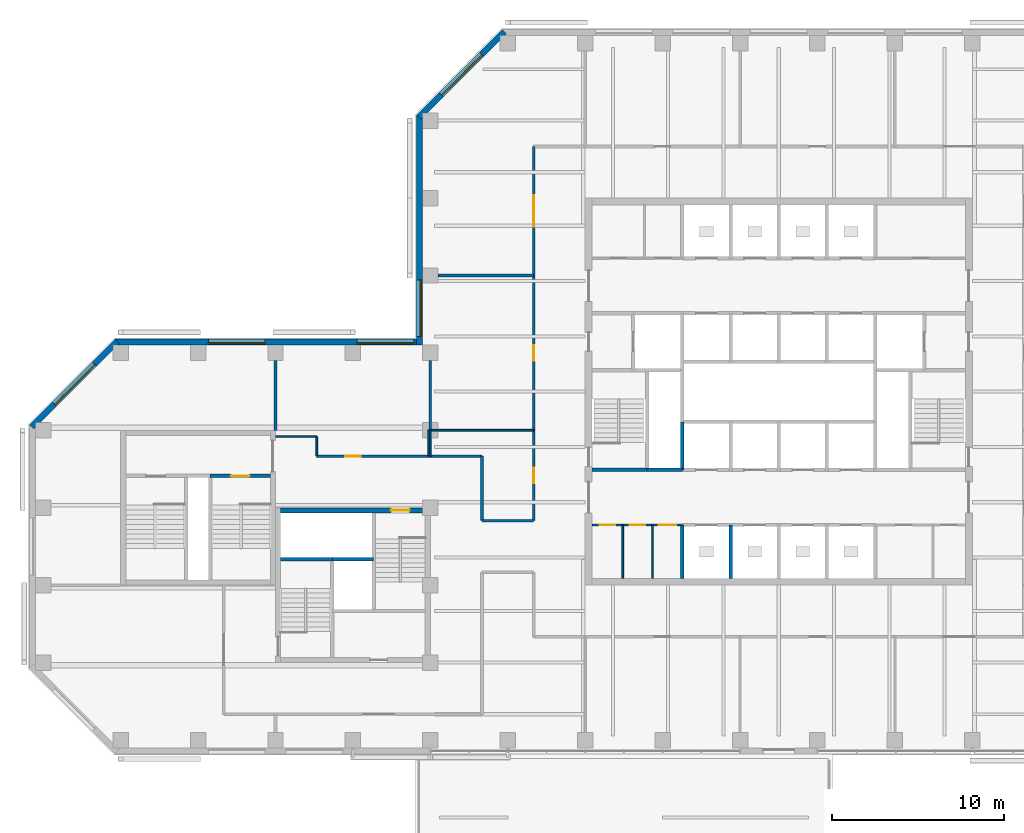
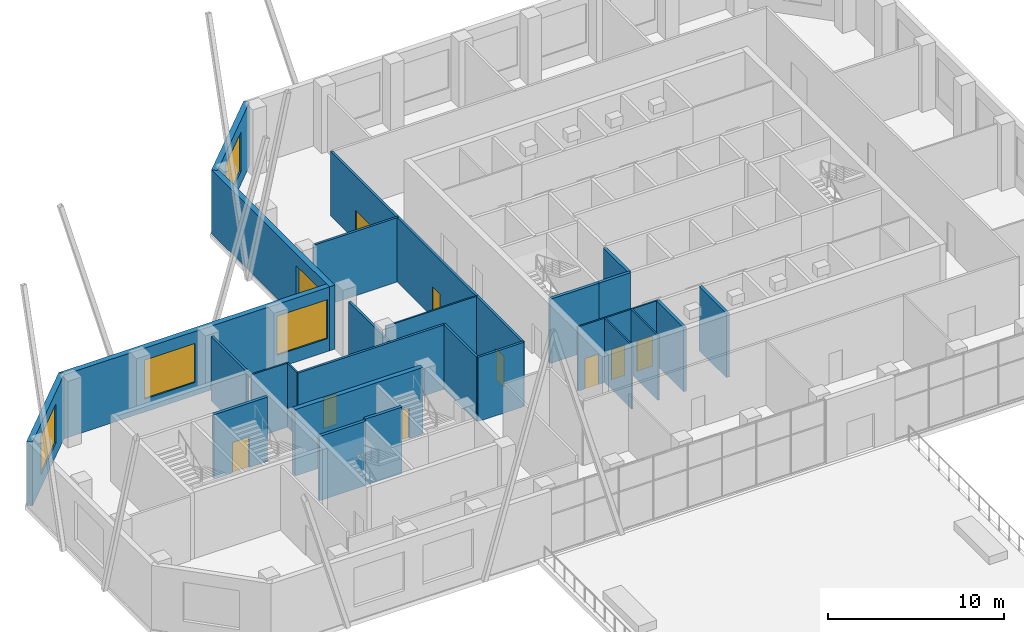
# One storey, part 8 of 14: 28 walls, 9 doors, 5 windows, 14 openings.
"""IFC4 building model written with IfcOpenShell, lengths in metres."""

from ifc_helpers import new_model, si_unit, direction, frame, frame_2d, origin, place, context, subcontext, project, spatial, rectangle, extrude, material, layer, layer_set, constituent, constituent_set, type_object, element, fill, save


model = new_model("IFC4")

# Units and contexts
model_context = context("Model", 3, precision=1e-05, world=origin(), true_north=direction((0.0, 1.0)))
body_context = subcontext(model_context, "Body", "Model", "MODEL_VIEW")
ifc_project = project(units=[si_unit("LENGTHUNIT", "METRE"), si_unit("AREAUNIT", "SQUARE_METRE"), si_unit("VOLUMEUNIT", "CUBIC_METRE"), si_unit("PLANEANGLEUNIT", "RADIAN"), si_unit("MASSUNIT", "GRAM", prefix="KILO")], contexts=[model_context])

# Site, building, storey
site_placement = place(None, origin())
site = spatial("IfcSite", under=ifc_project, at=site_placement, CompositionType="ELEMENT")
building_placement = place(site_placement, origin())
building = spatial("IfcBuilding", under=site, at=building_placement, Name="Quoin Convention Tower", CompositionType="ELEMENT")
storey_placement = place(building_placement, frame((0.0, 0.0, 143.10009765625)))
storey = spatial("IfcBuildingStorey", under=building, at=storey_placement, Name="L37", CompositionType="ELEMENT", Elevation=143.10009765625)

# Wall, opening, window
ifc_material_1 = material(Name="Brick masonry", Category="masonry")
ifc_layer_1 = layer(ifc_material_1, 0.35009765625)
ifc_layer_set_1 = layer_set([ifc_layer_1], Name="Brick masonry")
wall_type_1 = type_object("IfcWallType", Name="Brick facade wall", PredefinedType="STANDARD", material=ifc_layer_set_1)
wall_1_placement = place(storey_placement, frame((40.29248046875, 81.67626953125, 0.0), z_axis=(0.0, 0.0, 1.0), x_axis=(-0.707106781187, -0.707106781187, 0.0)))
wall_1 = element("IfcWall", 1, at=wall_1_placement, inside=storey, type_object=wall_type_1, Name="fw-L37-40500_81000", PredefinedType="STANDARD", context=body_context, shape_type="SweptSolid", body=[
    extrude(rectangle(XDim=7.02685546875, YDim=0.35009765625, at=frame_2d((3.513427734375, 0.0))), origin(), (0.0, 0.0, 1.0), 4.4248046875),
])
opening_1_placement = place(wall_1_placement, frame((1.86328125, 0.0, 0.89990234375)))
opening_1 = element("IfcOpeningElement", 2, at=opening_1_placement, cuts=wall_1, Name="Opening W-03", PredefinedType="OPENING", context=body_context, shape_type="SweptSolid", body=[
    extrude(rectangle(XDim=3.300048828125, YDim=2.699951171875, at=frame_2d((1.64990234375, 1.35009765625))), frame((0.0, 0.18505859375, 0.0), z_axis=(0.0, -1.0, 0.0), x_axis=(1.0, 0.0, 0.0)), (0.0, 0.0, 1.0), 0.3701171875),
])
ifc_material_2 = material(Name="Aluminium", Category="aluminium")
ifc_constituent_1 = constituent(ifc_material_2, Name="Frame")
ifc_material_3 = material(Name="Insulated glass", Category="glass")
ifc_constituent_2 = constituent(ifc_material_3, Name="Glazing")
ifc_constituent_set = constituent_set(constituents=[ifc_constituent_1, ifc_constituent_2], Name="Aluminium")
window_type = type_object("IfcWindowType", Name="Sky lobby window", PartitioningType="DOUBLE_PANEL_VERTICAL", PredefinedType="WINDOW", material=ifc_constituent_set)
window_1_placement = place(opening_1_placement, origin())
window_1 = element("IfcWindow", 3, at=window_1_placement, inside=storey, type_object=window_type, Name="win-L37-37808_79192", OverallHeight=2.699951171875, OverallWidth=3.300048828125, PartitioningType="SINGLE_PANEL", PredefinedType="WINDOW", context=body_context, shape_type="SweptSolid", body=[
    extrude(rectangle(XDim=3.300048828125, YDim=2.699951171875, at=frame_2d((1.64990234375, 1.35009765625))), frame((0.0, 0.0849609375, 0.0), z_axis=(0.0, -1.0, 0.0), x_axis=(1.0, 0.0, 0.0)), (0.0, 0.0, 1.0), 0.06005859375),
])
fill(opening_1, window_1)

wall_2_placement = place(storey_placement, frame((35.375, 76.831298828125, 0.0), z_axis=(0.0, 0.0, 1.0), x_axis=(0.0, -1.0, 0.0)))
wall_2 = element("IfcWall", 4, at=wall_2_placement, inside=storey, type_object=wall_type_1, Name="fw-L37-36000_76500", PredefinedType="STANDARD", context=body_context, shape_type="SweptSolid", body=[
    extrude(rectangle(XDim=13.38134765625, YDim=0.35009765625, at=frame_2d((6.690673828125, 0.0))), origin(), (0.0, 0.0, 1.0), 4.4248046875),
])
opening_2_placement = place(wall_2_placement, frame((9.581298828125, 0.0, 0.89990234375)))
opening_2 = element("IfcOpeningElement", 5, at=opening_2_placement, cuts=wall_2, Name="Opening W-03", PredefinedType="OPENING", context=body_context, shape_type="SweptSolid", body=[
    extrude(rectangle(XDim=3.300048828125, YDim=2.699951171875, at=frame_2d((1.64990234375, 1.35009765625))), frame((0.0, 0.18505859375, 0.0), z_axis=(0.0, -1.0, 0.0), x_axis=(1.0, 0.0, 0.0)), (0.0, 0.0, 1.0), 0.3701171875),
])
window_2_placement = place(opening_2_placement, origin())
window_2 = element("IfcWindow", 6, at=window_2_placement, inside=storey, type_object=window_type, Name="win-L37-35375_65250", OverallHeight=2.699951171875, OverallWidth=3.300048828125, PartitioningType="SINGLE_PANEL", PredefinedType="WINDOW", context=body_context, shape_type="SweptSolid", body=[
    extrude(rectangle(XDim=3.300048828125, YDim=2.699951171875, at=frame_2d((1.64990234375, 1.35009765625))), frame((0.0, 0.0849609375, 0.0), z_axis=(0.0, -1.0, 0.0), x_axis=(1.0, 0.0, 0.0)), (0.0, 0.0, 1.0), 0.06005859375),
])
fill(opening_2, window_2)

# Wall, openings, windows
wall_3_placement = place(storey_placement, frame((35.550048828125, 63.625, 0.0), z_axis=(0.0, 0.0, 1.0), x_axis=(-1.0, 0.0, 0.0)))
wall_3 = element("IfcWall", 7, at=wall_3_placement, inside=storey, type_object=wall_type_1, Name="fw-L37-36000_63000", PredefinedType="STANDARD", context=body_context, shape_type="SweptSolid", body=[
    extrude(rectangle(XDim=17.88134765625, YDim=0.35009765625, at=frame_2d((8.940673828125, 0.0))), origin(), (0.0, 0.0, 1.0), 4.4248046875),
])
opening_3_placement = place(wall_3_placement, frame((0.5, 0.0, 0.89990234375)))
opening_3 = element("IfcOpeningElement", 8, at=opening_3_placement, cuts=wall_3, Name="Opening W-03", PredefinedType="OPENING", context=body_context, shape_type="SweptSolid", body=[
    extrude(rectangle(XDim=3.300048828125, YDim=2.699951171875, at=frame_2d((1.64990234375, 1.35009765625))), frame((0.0, 0.18505859375, 0.0), z_axis=(0.0, -1.0, 0.0), x_axis=(1.0, 0.0, 0.0)), (0.0, 0.0, 1.0), 0.3701171875),
])
opening_4_placement = place(wall_3_placement, frame((9.14990234375, 0.0, 0.89990234375)))
opening_4 = element("IfcOpeningElement", 9, at=opening_4_placement, cuts=wall_3, Name="Opening W-03", PredefinedType="OPENING", context=body_context, shape_type="SweptSolid", body=[
    extrude(rectangle(XDim=3.300048828125, YDim=2.699951171875, at=frame_2d((1.64990234375, 1.35009765625))), frame((0.0, 0.18505859375, 0.0), z_axis=(0.0, -1.0, 0.0), x_axis=(1.0, 0.0, 0.0)), (0.0, 0.0, 1.0), 0.3701171875),
])
window_3_placement = place(opening_3_placement, origin())
window_3 = element("IfcWindow", 10, at=window_3_placement, inside=storey, type_object=window_type, Name="win-L37-33750_63625", OverallHeight=2.699951171875, OverallWidth=3.300048828125, PartitioningType="SINGLE_PANEL", PredefinedType="WINDOW", context=body_context, shape_type="SweptSolid", body=[
    extrude(rectangle(XDim=3.300048828125, YDim=2.699951171875, at=frame_2d((1.64990234375, 1.35009765625))), frame((0.0, 0.0849609375, 0.0), z_axis=(0.0, -1.0, 0.0), x_axis=(1.0, 0.0, 0.0)), (0.0, 0.0, 1.0), 0.06005859375),
])
fill(opening_3, window_3)
window_4_placement = place(opening_4_placement, origin())
window_4 = element("IfcWindow", 11, at=window_4_placement, inside=storey, type_object=window_type, Name="win-L37-24750_63625", OverallHeight=2.699951171875, OverallWidth=3.300048828125, PartitioningType="SINGLE_PANEL", PredefinedType="WINDOW", context=body_context, shape_type="SweptSolid", body=[
    extrude(rectangle(XDim=3.300048828125, YDim=2.699951171875, at=frame_2d((1.64990234375, 1.35009765625))), frame((0.0, 0.0849609375, 0.0), z_axis=(0.0, -1.0, 0.0), x_axis=(1.0, 0.0, 0.0)), (0.0, 0.0, 1.0), 0.06005859375),
])
fill(opening_4, window_4)

# Wall, opening, window
wall_4_placement = place(storey_placement, frame((17.79248046875, 63.67626953125, 0.0), z_axis=(0.0, 0.0, 1.0), x_axis=(-0.707106781187, -0.707106781187, 0.0)))
wall_4 = element("IfcWall", 12, at=wall_4_placement, inside=storey, type_object=wall_type_1, Name="fw-L37-18000_63000", PredefinedType="STANDARD", context=body_context, shape_type="SweptSolid", body=[
    extrude(rectangle(XDim=7.02685546875, YDim=0.35009765625, at=frame_2d((3.513427734375, 0.0))), origin(), (0.0, 0.0, 1.0), 4.4248046875),
])
opening_5_placement = place(wall_4_placement, frame((1.86328125, 0.0, 0.89990234375)))
opening_5 = element("IfcOpeningElement", 13, at=opening_5_placement, cuts=wall_4, Name="Opening W-03", PredefinedType="OPENING", context=body_context, shape_type="SweptSolid", body=[
    extrude(rectangle(XDim=3.300048828125, YDim=2.699951171875, at=frame_2d((1.64990234375, 1.35009765625))), frame((0.0, 0.18505859375, 0.0), z_axis=(0.0, -1.0, 0.0), x_axis=(1.0, 0.0, 0.0)), (0.0, 0.0, 1.0), 0.3701171875),
])
window_5_placement = place(opening_5_placement, origin())
window_5 = element("IfcWindow", 14, at=window_5_placement, inside=storey, type_object=window_type, Name="win-L37-15308_61192", OverallHeight=2.699951171875, OverallWidth=3.300048828125, PartitioningType="SINGLE_PANEL", PredefinedType="WINDOW", context=body_context, shape_type="SweptSolid", body=[
    extrude(rectangle(XDim=3.300048828125, YDim=2.699951171875, at=frame_2d((1.64990234375, 1.35009765625))), frame((0.0, 0.0849609375, 0.0), z_axis=(0.0, -1.0, 0.0), x_axis=(1.0, 0.0, 0.0)), (0.0, 0.0, 1.0), 0.06005859375),
])
fill(opening_5, window_5)

# Wall, openings, doors
ifc_material_4 = material(Name="Plasterboard")
ifc_layer_2 = layer(ifc_material_4, 0.012451171875, Name="Finish")
ifc_material_5 = material(Name="Steel stud framing", Category="steel")
ifc_layer_3 = layer(ifc_material_5, 0.074951171875, Name="Structure")
ifc_layer_4 = layer(ifc_material_4, 0.012451171875, Name="Finish")
ifc_layer_set_2 = layer_set([ifc_layer_2, ifc_layer_3, ifc_layer_4], Name="Steel stud framing")
wall_type_2 = type_object("IfcWallType", Name="Core partition wall", PredefinedType="PARTITIONING", material=ifc_layer_set_2)
wall_5_placement = place(storey_placement, frame((45.39990234375, 53.0, 0.0), z_axis=(0.0, 0.0, 1.0), x_axis=(1.0, 0.0, 0.0)))
wall_5 = element("IfcWall", 15, at=wall_5_placement, inside=storey, type_object=wall_type_2, Name="cr-C1-L37-h3500_400", PredefinedType="PARTITIONING", context=body_context, shape_type="SweptSolid", body=[
    extrude(rectangle(XDim=5.25, YDim=0.10009765625, at=frame_2d((2.625, 0.0))), origin(), (0.0, 0.0, 1.0), 4.449951171875),
])
opening_6_placement = place(wall_5_placement, frame((0.4423828125, 0.0, 0.0)))
opening_6 = element("IfcOpeningElement", 16, at=opening_6_placement, cuts=wall_5, Name="Opening DCV1-27", PredefinedType="OPENING", context=body_context, shape_type="SweptSolid", body=[
    extrude(rectangle(XDim=0.89990234375, YDim=2.10009765625, at=frame_2d((0.449951171875, 1.050048828125))), frame((0.0, 0.06005859375, 0.0), z_axis=(0.0, -1.0, 0.0), x_axis=(1.0, 0.0, 0.0)), (0.0, 0.0, 1.0), 0.1201171875),
])
opening_7_placement = place(wall_5_placement, frame((2.201416015625, 0.0, 0.0)))
opening_7 = element("IfcOpeningElement", 17, at=opening_7_placement, cuts=wall_5, Name="Opening DCV1-28", PredefinedType="OPENING", context=body_context, shape_type="SweptSolid", body=[
    extrude(rectangle(XDim=0.89990234375, YDim=2.10009765625, at=frame_2d((0.449951171875, 1.050048828125))), frame((0.0, 0.06005859375, 0.0), z_axis=(0.0, -1.0, 0.0), x_axis=(1.0, 0.0, 0.0)), (0.0, 0.0, 1.0), 0.1201171875),
])
opening_8_placement = place(wall_5_placement, frame((3.8837890625, 0.0, 0.0)))
opening_8 = element("IfcOpeningElement", 18, at=opening_8_placement, cuts=wall_5, Name="Opening DCV1-29", PredefinedType="OPENING", context=body_context, shape_type="SweptSolid", body=[
    extrude(rectangle(XDim=1.0, YDim=2.10009765625, at=frame_2d((0.5, 1.050048828125))), frame((0.0, 0.06005859375, 0.0), z_axis=(0.0, -1.0, 0.0), x_axis=(1.0, 0.0, 0.0)), (0.0, 0.0, 1.0), 0.1201171875),
])
ifc_material_6 = material(Name="Steel door leaf", Category="steel")
door_type_1 = type_object("IfcDoorType", Name="Core room door 1000 x 2100", OperationType="SINGLE_SWING_LEFT", PredefinedType="DOOR", material=ifc_material_6)
door_1_placement = place(opening_8_placement, frame((1.0, 0.0, 0.0), z_axis=(0.0, 0.0, 1.0), x_axis=(-1.0, 0.0, 0.0)))
door_1 = element("IfcDoor", 19, at=door_1_placement, inside=storey, type_object=door_type_1, Name="cd-C1-L37-CSW2-lobA-CD3714", OperationType="SINGLE_SWING_LEFT", OverallHeight=2.10009765625, OverallWidth=1.0, PredefinedType="DOOR", context=body_context, shape_type="SweptSolid", body=[
    extrude(rectangle(XDim=1.0, YDim=2.10009765625, at=frame_2d((0.5, 1.050048828125))), frame((0.0, 0.02490234375, 0.0), z_axis=(0.0, -1.0, 0.0), x_axis=(1.0, 0.0, 0.0)), (0.0, 0.0, 1.0), 0.050048828125),
])
fill(opening_8, door_1)
door_type_2 = type_object("IfcDoorType", Name="Core room door 900 x 2100", OperationType="SINGLE_SWING_LEFT", PredefinedType="DOOR", material=ifc_material_6)
door_2_placement = place(opening_6_placement, frame((0.89990234375, 0.0, 0.0), z_axis=(0.0, 0.0, 1.0), x_axis=(-1.0, 0.0, 0.0)))
door_2 = element("IfcDoor", 20, at=door_2_placement, inside=storey, type_object=door_type_2, Name="cd-C1-L37-CSW0-lobA-CD3712", OperationType="SINGLE_SWING_LEFT", OverallHeight=2.10009765625, OverallWidth=0.89990234375, PredefinedType="DOOR", context=body_context, shape_type="SweptSolid", body=[
    extrude(rectangle(XDim=0.89990234375, YDim=2.10009765625, at=frame_2d((0.449951171875, 1.050048828125))), frame((0.0, 0.02490234375, 0.0), z_axis=(0.0, -1.0, 0.0), x_axis=(1.0, 0.0, 0.0)), (0.0, 0.0, 1.0), 0.050048828125),
])
fill(opening_6, door_2)
door_3_placement = place(opening_7_placement, frame((0.89990234375, 0.0, 0.0), z_axis=(0.0, 0.0, 1.0), x_axis=(-1.0, 0.0, 0.0)))
door_3 = element("IfcDoor", 21, at=door_3_placement, inside=storey, type_object=door_type_2, Name="cd-C1-L37-CSW1-lobA-CD3713", OperationType="SINGLE_SWING_LEFT", OverallHeight=2.10009765625, OverallWidth=0.89990234375, PredefinedType="DOOR", context=body_context, shape_type="SweptSolid", body=[
    extrude(rectangle(XDim=0.89990234375, YDim=2.10009765625, at=frame_2d((0.449951171875, 1.050048828125))), frame((0.0, 0.02490234375, 0.0), z_axis=(0.0, -1.0, 0.0), x_axis=(1.0, 0.0, 0.0)), (0.0, 0.0, 1.0), 0.050048828125),
])
fill(opening_7, door_3)

# Walls
for number, where, z_axis, x_axis, name in (
    (22, (47.18505859375, 49.89990234375, 0.0), (0.0, 0.0, 1.0), (0.0, 1.0, 0.0), "cr-C1-L37-v2185_400"),
    (23, (48.91748046875, 49.89990234375, 0.0), (0.0, 0.0, 1.0), (0.0, 1.0, 0.0), "cr-C1-L37-v3918_400"),
):
    element("IfcWall", number, at=place(storey_placement, frame(where, z_axis=z_axis, x_axis=x_axis)), inside=storey, type_object=wall_type_2, Name=name, PredefinedType="PARTITIONING", context=body_context, shape_type="SweptSolid", body=[
        extrude(rectangle(XDim=3.10009765625, YDim=0.10009765625, at=frame_2d((1.550048828125, 0.0))), origin(), (0.0, 0.0, 1.0), 4.449951171875),
    ])
ifc_material_7 = material(Name="Concrete C50", Category="concrete")
ifc_layer_5 = layer(ifc_material_7, 0.199951171875)
ifc_layer_set_3 = layer_set([ifc_layer_5], Name="Concrete C50")
wall_type_3 = type_object("IfcWallType", Name="Core shaft wall", PredefinedType="SOLIDWALL", material=ifc_layer_set_3)
wall_6_placement = place(storey_placement, frame((48.60009765625, 56.199951171875, 0.0), z_axis=(0.0, 0.0, 1.0), x_axis=(1.0, 0.0, 0.0)))
element("IfcWall", 24, at=wall_6_placement, inside=storey, type_object=wall_type_3, Name="cr-C1-L37-h6700_3600", PredefinedType="SOLIDWALL", context=body_context, shape_type="SweptSolid", body=[
    extrude(rectangle(XDim=2.0498046875, YDim=0.199951171875, at=frame_2d((1.02490234375, 0.0))), origin(), (0.0, 0.0, 1.0), 4.449951171875),
])
wall_7_placement = place(storey_placement, frame((45.39990234375, 56.199951171875, 0.0), z_axis=(0.0, 0.0, 1.0), x_axis=(1.0, 0.0, 0.0)))
element("IfcWall", 25, at=wall_7_placement, inside=storey, type_object=wall_type_3, Name="cr-C1-L37-h6700_400", PredefinedType="SOLIDWALL", context=body_context, shape_type="SweptSolid", body=[
    extrude(rectangle(XDim=3.2001953125, YDim=0.199951171875, at=frame_2d((1.60009765625, 0.0))), origin(), (0.0, 0.0, 1.0), 4.449951171875),
])
wall_8_placement = place(storey_placement, frame((50.64990234375, 49.89990234375, 0.0), z_axis=(0.0, 0.0, 1.0), x_axis=(0.0, 1.0, 0.0)))
element("IfcWall", 26, at=wall_8_placement, inside=storey, type_object=wall_type_3, Name="cr-C1-L37-v5650_400", PredefinedType="SOLIDWALL", context=body_context, shape_type="SweptSolid", body=[
    extrude(rectangle(XDim=3.10009765625, YDim=0.199951171875, at=frame_2d((1.550048828125, 0.0))), origin(), (0.0, 0.0, 1.0), 4.449951171875),
])
wall_9_placement = place(storey_placement, frame((50.64990234375, 56.199951171875, 0.0), z_axis=(0.0, 0.0, 1.0), x_axis=(0.0, 1.0, 0.0)))
element("IfcWall", 27, at=wall_9_placement, inside=storey, type_object=wall_type_3, Name="cr-C1-L37-v5650_6700", PredefinedType="SOLIDWALL", context=body_context, shape_type="SweptSolid", body=[
    extrude(rectangle(XDim=2.800048828125, YDim=0.199951171875, at=frame_2d((1.39990234375, 0.0))), origin(), (0.0, 0.0, 1.0), 4.449951171875),
])
wall_10_placement = place(storey_placement, frame((53.449951171875, 49.89990234375, 0.0), z_axis=(0.0, 0.0, 1.0), x_axis=(0.0, 1.0, 0.0)))
element("IfcWall", 28, at=wall_10_placement, inside=storey, type_object=wall_type_3, Name="cr-C1-L37-v8450_400", PredefinedType="SOLIDWALL", context=body_context, shape_type="SweptSolid", body=[
    extrude(rectangle(XDim=3.10009765625, YDim=0.199951171875, at=frame_2d((1.550048828125, 0.0))), origin(), (0.0, 0.0, 1.0), 4.449951171875),
])
wall_11_placement = place(storey_placement, frame((27.300048828125, 51.0, 0.0), z_axis=(0.0, 0.0, 1.0), x_axis=(1.0, 0.0, 0.0)))
element("IfcWall", 29, at=wall_11_placement, inside=storey, type_object=wall_type_3, Name="cr-P2-L37-h6000_300", PredefinedType="SOLIDWALL", context=body_context, shape_type="SweptSolid", body=[
    extrude(rectangle(XDim=3.0, YDim=0.199951171875, at=frame_2d((1.5, 0.0))), origin(), (0.0, 0.0, 1.0), 4.449951171875),
])

# Wall, opening, door
wall_12_placement = place(storey_placement, frame((23.199951171875, 55.85009765625, 0.0), z_axis=(0.0, 0.0, 1.0), x_axis=(1.0, 0.0, 0.0)))
wall_12 = element("IfcWall", 30, at=wall_12_placement, inside=storey, type_object=wall_type_3, Name="cr-P6-L37-h6350_5200", PredefinedType="SOLIDWALL", context=body_context, shape_type="SweptSolid", body=[
    extrude(rectangle(XDim=3.5, YDim=0.199951171875, at=frame_2d((1.75, 0.0))), origin(), (0.0, 0.0, 1.0), 4.449951171875),
])
opening_9_placement = place(wall_12_placement, frame((1.199951171875, 0.0, 0.0)))
opening_9 = element("IfcOpeningElement", 31, at=opening_9_placement, cuts=wall_12, Name="Opening SD12", PredefinedType="OPENING", context=body_context, shape_type="SweptSolid", body=[
    extrude(rectangle(XDim=1.10009765625, YDim=2.10009765625, at=frame_2d((0.550048828125, 1.050048828125))), frame((0.0, 0.10986328125, 0.0), z_axis=(0.0, -1.0, 0.0), x_axis=(1.0, 0.0, 0.0)), (0.0, 0.0, 1.0), 0.219970703125),
])
door_type_3 = type_object("IfcDoorType", Name="Stair door 1100 x 2100", OperationType="SINGLE_SWING_RIGHT", PredefinedType="DOOR", material=ifc_material_6)
door_4_placement = place(opening_9_placement, origin())
door_4 = element("IfcDoor", 32, at=door_4_placement, inside=storey, type_object=door_type_3, Name="cd-P6-L37-SB-R2-SD12", OperationType="SINGLE_SWING_RIGHT", OverallHeight=2.10009765625, OverallWidth=1.10009765625, PredefinedType="DOOR", context=body_context, shape_type="SweptSolid", body=[
    extrude(rectangle(XDim=1.10009765625, YDim=2.10009765625, at=frame_2d((0.550048828125, 1.050048828125))), frame((0.0, 0.02490234375, 0.0), z_axis=(0.0, -1.0, 0.0), x_axis=(1.0, 0.0, 0.0)), (0.0, 0.0, 1.0), 0.050048828125),
])
fill(opening_9, door_4)

# Wall
ifc_layer_6 = layer(ifc_material_7, 0.199951171875)
ifc_layer_set_4 = layer_set([ifc_layer_6], Name="Concrete C50")
wall_type_4 = type_object("IfcWallType", Name="Core shaft wall to the floor level over", PredefinedType="SOLIDWALL", material=ifc_layer_set_4)
wall_13_placement = place(storey_placement, frame((30.300048828125, 51.0, 0.0), z_axis=(0.0, 0.0, 1.0), x_axis=(1.0, 0.0, 0.0)))
element("IfcWall", 33, at=wall_13_placement, inside=storey, type_object=wall_type_4, Name="cr-P2-L37-h6000_3300", PredefinedType="SOLIDWALL", context=body_context, shape_type="SweptSolid", body=[
    extrude(rectangle(XDim=2.39990234375, YDim=0.199951171875, at=frame_2d((1.199951171875, 0.0))), origin(), (0.0, 0.0, 1.0), 4.599853515625),
])

# Wall, opening, door
ifc_layer_7 = layer(ifc_material_7, 0.300048828125)
ifc_layer_set_5 = layer_set([ifc_layer_7], Name="Concrete C50")
wall_type_5 = type_object("IfcWallType", Name="RC CORE WALL 300 C50", PredefinedType="SHEAR", material=ifc_layer_set_5)
wall_14_placement = place(storey_placement, frame((27.300048828125, 53.85009765625, 0.0), z_axis=(0.0, 0.0, 1.0), x_axis=(1.0, 0.0, 0.0)))
wall_14 = element("IfcWall", 34, at=wall_14_placement, inside=storey, type_object=wall_type_5, Name="cwl-P2-L37-N", PredefinedType="SHEAR", context=body_context, shape_type="SweptSolid", body=[
    extrude(rectangle(XDim=8.39990234375, YDim=0.300048828125, at=frame_2d((4.199951171875, 0.0))), origin(), (0.0, 0.0, 1.0), 4.599853515625),
])
opening_10_placement = place(wall_14_placement, frame((6.39990234375, 0.0, 0.0)))
opening_10 = element("IfcOpeningElement", 35, at=opening_10_placement, cuts=wall_14, Name="Opening SD4", PredefinedType="OPENING", context=body_context, shape_type="SweptSolid", body=[
    extrude(rectangle(XDim=1.10009765625, YDim=2.10009765625, at=frame_2d((0.550048828125, 1.050048828125))), frame((0.0, 0.159912109375, 0.0), z_axis=(0.0, -1.0, 0.0), x_axis=(1.0, 0.0, 0.0)), (0.0, 0.0, 1.0), 0.320068359375),
])
door_5_placement = place(opening_10_placement, frame((1.10009765625, 0.0, 0.0), z_axis=(0.0, 0.0, 1.0), x_axis=(-1.0, 0.0, 0.0)))
door_5 = element("IfcDoor", 36, at=door_5_placement, inside=storey, type_object=door_type_3, Name="cd-P2-L37-SB-N", OperationType="SINGLE_SWING_LEFT", OverallHeight=2.10009765625, OverallWidth=1.10009765625, PredefinedType="DOOR", context=body_context, shape_type="SweptSolid", body=[
    extrude(rectangle(XDim=1.10009765625, YDim=2.10009765625, at=frame_2d((0.550048828125, 1.050048828125))), frame((0.0, 0.02490234375, 0.0), z_axis=(0.0, -1.0, 0.0), x_axis=(1.0, 0.0, 0.0)), (0.0, 0.0, 1.0), 0.050048828125),
])
fill(opening_10, door_5)

# Walls
ifc_layer_8 = layer(ifc_material_4, 0.012451171875, Name="Finish")
ifc_layer_9 = layer(ifc_material_5, 0.074951171875, Name="Structure")
ifc_layer_10 = layer(ifc_material_4, 0.012451171875, Name="Finish")
ifc_layer_set_6 = layer_set([ifc_layer_8, ifc_layer_9, ifc_layer_10], Name="Steel stud framing")
wall_type_6 = type_object("IfcWallType", Name="Stud partition 100", PredefinedType="PARTITIONING", material=ifc_layer_set_6)
wall_15_placement = place(storey_placement, frame((27.0, 58.14990234375, 0.0), z_axis=(0.0, 0.0, 1.0), x_axis=(1.0, 0.0, 0.0)))
element("IfcWall", 37, at=wall_15_placement, inside=storey, type_object=wall_type_6, Name="pw-L37-w01", PredefinedType="PARTITIONING", context=body_context, shape_type="SweptSolid", body=[
    extrude(rectangle(XDim=2.39990234375, YDim=0.10009765625, at=frame_2d((1.199951171875, 0.0))), origin(), (0.0, 0.0, 1.0), 4.449951171875),
])
wall_16_placement = place(storey_placement, frame((29.39990234375, 58.139892578125, 0.0), z_axis=(0.0, 0.0, 1.0), x_axis=(0.0, -1.0, 0.0)))
element("IfcWall", 38, at=wall_16_placement, inside=storey, type_object=wall_type_6, Name="pw-L37-w02", PredefinedType="PARTITIONING", context=body_context, shape_type="SweptSolid", body=[
    extrude(rectangle(XDim=1.10498046875, YDim=0.10009765625, at=frame_2d((0.552490234375, 0.0))), origin(), (0.0, 0.0, 1.0), 4.449951171875),
])
ifc_layer_11 = layer(ifc_material_4, 0.012451171875, Name="Finish")
ifc_layer_12 = layer(ifc_material_5, 0.074951171875, Name="Structure")
ifc_layer_13 = layer(ifc_material_4, 0.012451171875, Name="Finish")
ifc_layer_set_7 = layer_set([ifc_layer_11, ifc_layer_12, ifc_layer_13], Name="Steel stud framing")
wall_type_7 = type_object("IfcWallType", Name="Stud partition 100 under beam 750", PredefinedType="PARTITIONING", material=ifc_layer_set_7)
wall_17_placement = place(storey_placement, frame((35.89990234375, 58.52294921875, 0.0), z_axis=(0.0, 0.0, 1.0), x_axis=(0.0, -1.0, 0.0)))
element("IfcWall", 39, at=wall_17_placement, inside=storey, type_object=wall_type_7, Name="pw-L37-w03", PredefinedType="PARTITIONING", context=body_context, shape_type="SweptSolid", body=[
    extrude(rectangle(XDim=1.488037109375, YDim=0.10009765625, at=frame_2d((0.744140625, 0.0))), origin(), (0.0, 0.0, 1.0), 3.699951171875),
])
ifc_layer_14 = layer(ifc_material_4, 0.012451171875, Name="Finish")
ifc_layer_15 = layer(ifc_material_5, 0.074951171875, Name="Structure")
ifc_layer_16 = layer(ifc_material_4, 0.012451171875, Name="Finish")
ifc_layer_set_8 = layer_set([ifc_layer_14, ifc_layer_15, ifc_layer_16], Name="Steel stud framing")
wall_type_8 = type_object("IfcWallType", Name="bathroom partition", PredefinedType="PARTITIONING", material=ifc_layer_set_8)
wall_18_placement = place(storey_placement, frame((36.0, 58.5, 0.0), z_axis=(0.0, 0.0, 1.0), x_axis=(1.0, 0.0, 0.0)))
element("IfcWall", 40, at=wall_18_placement, inside=storey, type_object=wall_type_8, Name="pw-L37-006", PredefinedType="PARTITIONING", context=body_context, shape_type="SweptSolid", body=[
    extrude(rectangle(XDim=6.0, YDim=0.10009765625, at=frame_2d((3.0, 0.0))), origin(), (0.0, 0.0, 1.0), 4.449951171875),
])
ifc_layer_17 = layer(ifc_material_4, 0.012451171875, Name="Finish")
ifc_layer_18 = layer(ifc_material_5, 0.074951171875, Name="Structure")
ifc_layer_19 = layer(ifc_material_4, 0.012451171875, Name="Finish")
ifc_layer_set_9 = layer_set([ifc_layer_17, ifc_layer_18, ifc_layer_19], Name="Steel stud framing")
wall_type_9 = type_object("IfcWallType", Name="bathroom partition under beam 750", PredefinedType="PARTITIONING", material=ifc_layer_set_9)
wall_19_placement = place(storey_placement, frame((36.0, 57.0, 0.0), z_axis=(0.0, 0.0, 1.0), x_axis=(0.0, 1.0, 0.0)))
element("IfcWall", 41, at=wall_19_placement, inside=storey, type_object=wall_type_9, Name="pw-L37-005", PredefinedType="PARTITIONING", context=body_context, shape_type="SweptSolid", body=[
    extrude(rectangle(XDim=1.5, YDim=0.10009765625, at=frame_2d((0.75, 0.0))), origin(), (0.0, 0.0, 1.0), 3.699951171875),
])
ifc_layer_20 = layer(ifc_material_4, 0.012451171875, Name="Finish")
ifc_layer_21 = layer(ifc_material_5, 0.125, Name="Structure")
ifc_layer_22 = layer(ifc_material_4, 0.012451171875, Name="Finish")
ifc_layer_set_10 = layer_set([ifc_layer_20, ifc_layer_21, ifc_layer_22], Name="Steel stud framing")
wall_type_10 = type_object("IfcWallType", Name="corridor partition", PredefinedType="PARTITIONING", material=ifc_layer_set_10)
wall_20_placement = place(storey_placement, frame((39.0, 53.25, 0.0), z_axis=(0.0, 0.0, 1.0), x_axis=(1.0, 0.0, 0.0)))
element("IfcWall", 42, at=wall_20_placement, inside=storey, type_object=wall_type_10, Name="pw-L37-015", PredefinedType="PARTITIONING", context=body_context, shape_type="SweptSolid", body=[
    extrude(rectangle(XDim=3.0, YDim=0.14990234375, at=frame_2d((1.5, 0.0))), origin(), (0.0, 0.0, 1.0), 4.449951171875),
])
wall_21_placement = place(storey_placement, frame((39.0, 53.25, 0.0), z_axis=(0.0, 0.0, 1.0), x_axis=(0.0, 1.0, 0.0)))
element("IfcWall", 43, at=wall_21_placement, inside=storey, type_object=wall_type_10, Name="pw-L37-016", PredefinedType="PARTITIONING", context=body_context, shape_type="SweptSolid", body=[
    extrude(rectangle(XDim=3.75, YDim=0.14990234375, at=frame_2d((1.875, 0.0))), origin(), (0.0, 0.0, 1.0), 4.449951171875),
])

# Wall, openings, doors
wall_22_placement = place(storey_placement, frame((42.0, 53.25, 0.0), z_axis=(0.0, 0.0, 1.0), x_axis=(0.0, 1.0, 0.0)))
wall_22 = element("IfcWall", 44, at=wall_22_placement, inside=storey, type_object=wall_type_10, Name="pw-L37-017", PredefinedType="PARTITIONING", context=body_context, shape_type="SweptSolid", body=[
    extrude(rectangle(XDim=21.75, YDim=0.14990234375, at=frame_2d((10.875, 0.0))), origin(), (0.0, 0.0, 1.0), 4.449951171875),
])
opening_11_placement = place(wall_22_placement, frame((2.175048828125, 0.0, 0.0)))
opening_11 = element("IfcOpeningElement", 45, at=opening_11_placement, cuts=wall_22, Name="Opening DSKY-37-09", PredefinedType="OPENING", context=body_context, shape_type="SweptSolid", body=[
    extrude(rectangle(XDim=0.89990234375, YDim=2.10009765625, at=frame_2d((0.449951171875, 1.050048828125))), frame((0.0, 0.0849609375, 0.0), z_axis=(0.0, -1.0, 0.0), x_axis=(1.0, 0.0, 0.0)), (0.0, 0.0, 1.0), 0.169921875),
])
opening_12_placement = place(wall_22_placement, frame((9.300048828125, 0.0, 0.0)))
opening_12 = element("IfcOpeningElement", 46, at=opening_12_placement, cuts=wall_22, Name="Opening DSKY-37-10", PredefinedType="OPENING", context=body_context, shape_type="SweptSolid", body=[
    extrude(rectangle(XDim=0.89990234375, YDim=2.10009765625, at=frame_2d((0.449951171875, 1.050048828125))), frame((0.0, 0.0849609375, 0.0), z_axis=(0.0, -1.0, 0.0), x_axis=(1.0, 0.0, 0.0)), (0.0, 0.0, 1.0), 0.169921875),
])
opening_13_placement = place(wall_22_placement, frame((17.10009765625, 0.0, 0.0)))
opening_13 = element("IfcOpeningElement", 47, at=opening_13_placement, cuts=wall_22, Name="Opening DSKY-37-11", PredefinedType="OPENING", context=body_context, shape_type="SweptSolid", body=[
    extrude(rectangle(XDim=1.800048828125, YDim=2.10009765625, at=frame_2d((0.89990234375, 1.050048828125))), frame((0.0, 0.0849609375, 0.0), z_axis=(0.0, -1.0, 0.0), x_axis=(1.0, 0.0, 0.0)), (0.0, 0.0, 1.0), 0.169921875),
])
door_type_4 = type_object("IfcDoorType", Name="Double meeting room door", OperationType="DOUBLE_DOOR_SINGLE_SWING", PredefinedType="DOOR", material=ifc_material_6)
door_6_placement = place(opening_13_placement, frame((1.800048828125, 0.0, 0.0), z_axis=(0.0, 0.0, 1.0), x_axis=(-1.0, 0.0, 0.0)))
door_6 = element("IfcDoor", 48, at=door_6_placement, inside=storey, type_object=door_type_4, Name="dr-L37-013", OperationType="DOUBLE_DOOR_SINGLE_SWING", OverallHeight=2.10009765625, OverallWidth=1.800048828125, PredefinedType="DOOR", context=body_context, shape_type="SweptSolid", body=[
    extrude(rectangle(XDim=1.800048828125, YDim=2.10009765625, at=frame_2d((0.89990234375, 1.050048828125))), frame((0.0, 0.02490234375, 0.0), z_axis=(0.0, -1.0, 0.0), x_axis=(1.0, 0.0, 0.0)), (0.0, 0.0, 1.0), 0.050048828125),
])
fill(opening_13, door_6)
door_type_5 = type_object("IfcDoorType", Name="Single room door", OperationType="SINGLE_SWING_RIGHT", PredefinedType="DOOR", material=ifc_material_6)
door_7_placement = place(opening_12_placement, origin())
door_7 = element("IfcDoor", 49, at=door_7_placement, inside=storey, type_object=door_type_5, Name="dr-L37-011", OperationType="SINGLE_SWING_RIGHT", OverallHeight=2.10009765625, OverallWidth=0.89990234375, PredefinedType="DOOR", context=body_context, shape_type="SweptSolid", body=[
    extrude(rectangle(XDim=0.89990234375, YDim=2.10009765625, at=frame_2d((0.449951171875, 1.050048828125))), frame((0.0, 0.02490234375, 0.0), z_axis=(0.0, -1.0, 0.0), x_axis=(1.0, 0.0, 0.0)), (0.0, 0.0, 1.0), 0.050048828125),
])
fill(opening_12, door_7)
door_type_6 = type_object("IfcDoorType", Name="Toilet door", OperationType="SINGLE_SWING_LEFT", PredefinedType="DOOR", material=ifc_material_6)
door_8_placement = place(opening_11_placement, origin())
door_8 = element("IfcDoor", 50, at=door_8_placement, inside=storey, type_object=door_type_6, Name="dr-L37-009", OperationType="SINGLE_SWING_RIGHT", OverallHeight=2.10009765625, OverallWidth=0.89990234375, PredefinedType="DOOR", context=body_context, shape_type="SweptSolid", body=[
    extrude(rectangle(XDim=0.89990234375, YDim=2.10009765625, at=frame_2d((0.449951171875, 1.050048828125))), frame((0.0, 0.02490234375, 0.0), z_axis=(0.0, -1.0, 0.0), x_axis=(1.0, 0.0, 0.0)), (0.0, 0.0, 1.0), 0.050048828125),
])
fill(opening_11, door_8)

# Wall, opening, door
wall_23_placement = place(storey_placement, frame((29.3798828125, 57.0, 0.0), z_axis=(0.0, 0.0, 1.0), x_axis=(1.0, 0.0, 0.0)))
wall_23 = element("IfcWall", 51, at=wall_23_placement, inside=storey, type_object=wall_type_10, Name="pw-L37-018", PredefinedType="PARTITIONING", context=body_context, shape_type="SweptSolid", body=[
    extrude(rectangle(XDim=9.6201171875, YDim=0.14990234375, at=frame_2d((4.81005859375, 0.0))), origin(), (0.0, 0.0, 1.0), 4.449951171875),
])
opening_14_placement = place(wall_23_placement, frame((1.669921875, 0.0, 0.0)))
opening_14 = element("IfcOpeningElement", 52, at=opening_14_placement, cuts=wall_23, Name="Opening DSKY-37-12", PredefinedType="OPENING", context=body_context, shape_type="SweptSolid", body=[
    extrude(rectangle(XDim=0.89990234375, YDim=2.10009765625, at=frame_2d((0.449951171875, 1.050048828125))), frame((0.0, 0.0849609375, 0.0), z_axis=(0.0, -1.0, 0.0), x_axis=(1.0, 0.0, 0.0)), (0.0, 0.0, 1.0), 0.169921875),
])
door_type_7 = type_object("IfcDoorType", Name="Service room door", OperationType="SINGLE_SWING_LEFT", PredefinedType="DOOR", material=ifc_material_6)
door_9_placement = place(opening_14_placement, origin())
door_9 = element("IfcDoor", 53, at=door_9_placement, inside=storey, type_object=door_type_7, Name="dr-L37-010", OperationType="SINGLE_SWING_LEFT", OverallHeight=2.10009765625, OverallWidth=0.89990234375, PredefinedType="DOOR", context=body_context, shape_type="SweptSolid", body=[
    extrude(rectangle(XDim=0.89990234375, YDim=2.10009765625, at=frame_2d((0.449951171875, 1.050048828125))), frame((0.0, 0.02490234375, 0.0), z_axis=(0.0, -1.0, 0.0), x_axis=(1.0, 0.0, 0.0)), (0.0, 0.0, 1.0), 0.050048828125),
])
fill(opening_14, door_9)

# Walls
ifc_layer_23 = layer(ifc_material_4, 0.012451171875, Name="Finish")
ifc_layer_24 = layer(ifc_material_5, 0.125, Name="Structure")
ifc_layer_25 = layer(ifc_material_4, 0.012451171875, Name="Finish")
ifc_layer_set_11 = layer_set([ifc_layer_23, ifc_layer_24, ifc_layer_25], Name="Steel stud framing")
wall_type_11 = type_object("IfcWallType", Name="room partition", PredefinedType="PARTITIONING", material=ifc_layer_set_11)
wall_24_placement = place(storey_placement, frame((27.0, 58.5, 0.0), z_axis=(0.0, 0.0, 1.0), x_axis=(0.0, 1.0, 0.0)))
element("IfcWall", 54, at=wall_24_placement, inside=storey, type_object=wall_type_11, Name="pw-L37-022", PredefinedType="PARTITIONING", context=body_context, shape_type="SweptSolid", body=[
    extrude(rectangle(XDim=4.050048828125, YDim=0.14990234375, at=frame_2d((2.02490234375, 0.0))), origin(), (0.0, 0.0, 1.0), 4.449951171875),
])
wall_25_placement = place(storey_placement, frame((36.449951171875, 67.5, 0.0), z_axis=(0.0, 0.0, 1.0), x_axis=(1.0, 0.0, 0.0)))
element("IfcWall", 55, at=wall_25_placement, inside=storey, type_object=wall_type_11, Name="pw-L37-024", PredefinedType="PARTITIONING", context=body_context, shape_type="SweptSolid", body=[
    extrude(rectangle(XDim=5.550048828125, YDim=0.14990234375, at=frame_2d((2.77490234375, 0.0))), origin(), (0.0, 0.0, 1.0), 4.449951171875),
])
ifc_layer_26 = layer(ifc_material_4, 0.012451171875, Name="Finish")
ifc_layer_27 = layer(ifc_material_5, 0.125, Name="Structure")
ifc_layer_28 = layer(ifc_material_4, 0.012451171875, Name="Finish")
ifc_layer_set_12 = layer_set([ifc_layer_26, ifc_layer_27, ifc_layer_28], Name="Steel stud framing")
wall_type_12 = type_object("IfcWallType", Name="room partition under beam 750", PredefinedType="PARTITIONING", material=ifc_layer_set_12)
wall_26_placement = place(storey_placement, frame((36.0, 58.5, 0.0), z_axis=(0.0, 0.0, 1.0), x_axis=(0.0, 1.0, 0.0)))
element("IfcWall", 56, at=wall_26_placement, inside=storey, type_object=wall_type_12, Name="pw-L37-023", PredefinedType="PARTITIONING", context=body_context, shape_type="SweptSolid", body=[
    extrude(rectangle(XDim=4.050048828125, YDim=0.14990234375, at=frame_2d((2.02490234375, 0.0))), origin(), (0.0, 0.0, 1.0), 3.699951171875),
])

save(model, "model.ifc")
